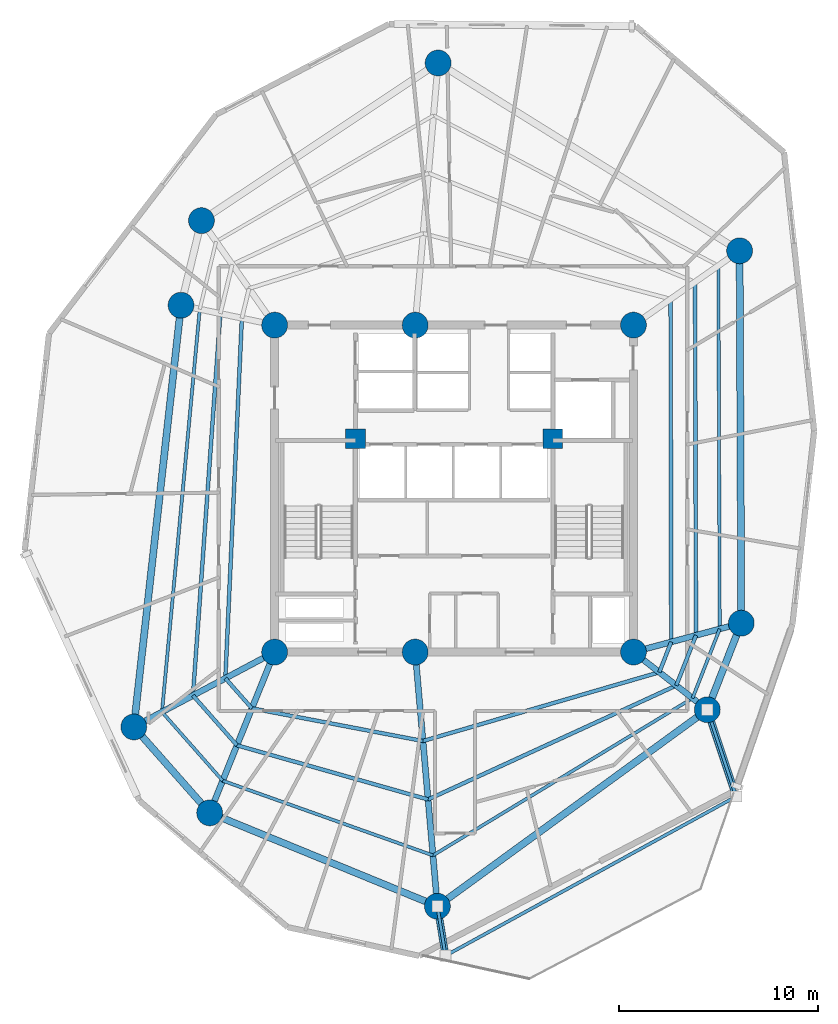
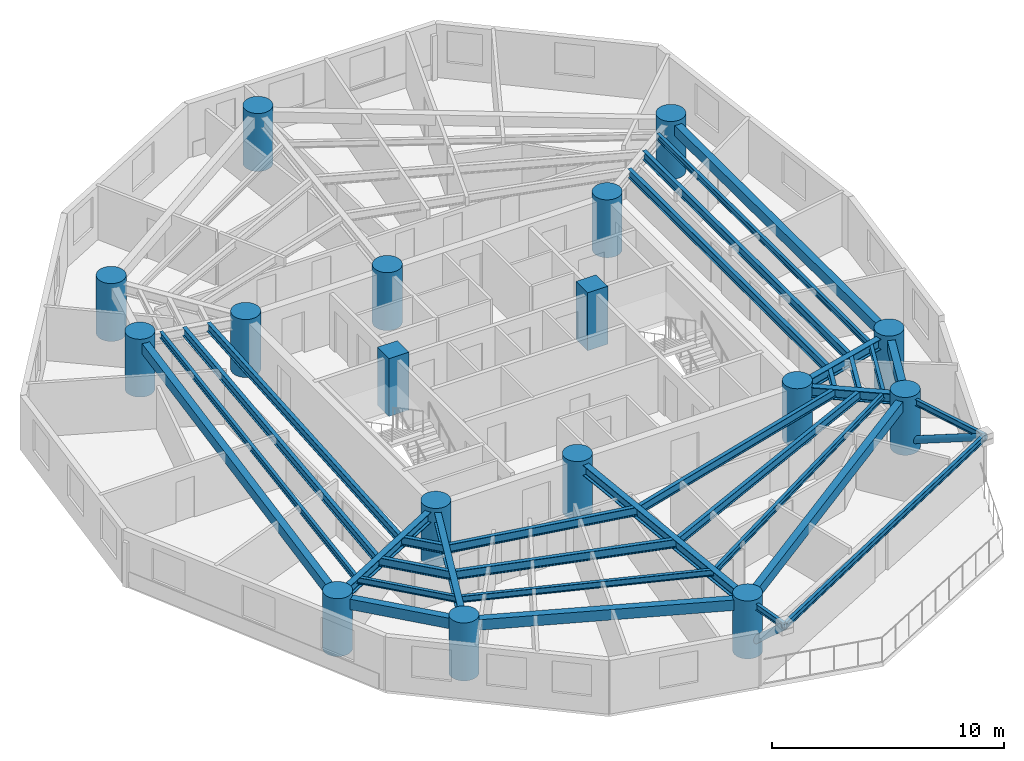
# One storey, part 1 of 10: 32 beams, 17 columns, 2 members.
"""IFC4 building model written with IfcOpenShell, lengths in metres."""

from ifc_helpers import new_model, si_unit, direction, frame, origin, origin_with_axes, origin_2d, place, context, subcontext, project, spatial, rectangle, circle, hollow_circle, i_section, extrude, source, transform, mapped, material, material_profile, profile_set, type_object, element, save


model = new_model("IFC4")

# Units and contexts
model_context = context("Model", 3, precision=1e-05, world=origin(), true_north=direction((0.0, 1.0)))
body_context = subcontext(model_context, "Body", "Model", "MODEL_VIEW")
ifc_project = project(units=[si_unit("LENGTHUNIT", "METRE"), si_unit("AREAUNIT", "SQUARE_METRE"), si_unit("VOLUMEUNIT", "CUBIC_METRE"), si_unit("PLANEANGLEUNIT", "RADIAN"), si_unit("MASSUNIT", "GRAM", prefix="KILO")], contexts=[model_context])

# Site, building, storey
site_placement = place(None, origin())
site = spatial("IfcSite", under=ifc_project, at=site_placement, CompositionType="ELEMENT")
building_placement = place(site_placement, origin())
building = spatial("IfcBuilding", under=site, at=building_placement, Name="Karkom Vertical University and Central Library", CompositionType="ELEMENT")
storey_placement = place(building_placement, frame((0.0, 0.0, 171.800048828125)))
storey = spatial("IfcBuildingStorey", under=building, at=storey_placement, Name="L49", CompositionType="ELEMENT", Elevation=171.800048828125)

# Columns
ifc_material_1 = material(Name="Concrete C50/60", Category="concrete")
ifc_material_profile_1 = material_profile(ifc_material_1, circle(Radius=0.64990234375, at=origin_2d()), Name="CFT-D1300")
ifc_profile_set_1 = profile_set([ifc_material_profile_1], Name="Concrete C50/60")
column_type_1 = type_object("IfcColumnType", Name="STR-COL-C-SC4", PredefinedType="COLUMN", material=ifc_profile_set_1)
shared_shape_1 = source(origin_with_axes(), body_context, "Body", "SweptSolid", [
    extrude(circle(Radius=0.64990234375, at=origin_2d()), origin(), (0.0, 0.0, 1.0), 3.050048828125),
])
for number, where, z_axis, x_axis, name in (
    (1, (19.5, 18.300048828125, 0.0), (0.0, 0.0, 1.0), (1.0, 0.0, 0.0), "Level 49 Spine Mega-Column SC-1"),
    (2, (26.550048828125, 18.300048828125, 0.0), (0.0, 0.0, 1.0), (1.0, 0.0, 0.0), "Level 49 Spine Mega-Column SC-2"),
    (3, (37.5, 18.300048828125, 0.0), (0.0, 0.0, 1.0), (1.0, 0.0, 0.0), "Level 49 Spine Mega-Column SC-3"),
    (4, (19.5, 34.699951171875, 0.0), (0.0, 0.0, 1.0), (1.0, 0.0, 0.0), "Level 49 Spine Mega-Column SC-4"),
    (5, (26.550048828125, 34.699951171875, 0.0), (0.0, 0.0, 1.0), (1.0, 0.0, 0.0), "Level 49 Spine Mega-Column SC-5"),
    (6, (37.5, 34.699951171875, 0.0), (0.0, 0.0, 1.0), (1.0, 0.0, 0.0), "Level 49 Spine Mega-Column SC-6"),
    (7, (42.908935546875, 19.7490234375, 0.0), (0.0, 0.0, 1.0), (1.0, 0.0, 0.0), "Level 49 Perimeter Mega-Column Z3-PC1"),
    (8, (42.823974609375, 38.427978515625, 0.0), (0.0, 0.0, 1.0), (1.0, 0.0, 0.0), "Level 49 Perimeter Mega-Column Z3-PC2"),
    (9, (27.699951171875, 47.85009765625, 0.0), (0.0, 0.0, 1.0), (1.0, 0.0, 0.0), "Level 49 Perimeter Mega-Column Z3-PC3"),
    (10, (15.8291015625, 39.943115234375, 0.0), (0.0, 0.0, 1.0), (1.0, 0.0, 0.0), "Level 49 Perimeter Mega-Column Z3-PC4"),
    (11, (14.804931640625, 35.697998046875, 0.0), (0.0, 0.0, 1.0), (1.0, 0.0, 0.0), "Level 49 Perimeter Mega-Column Z3-PC5"),
    (12, (12.43603515625, 14.5439453125, 0.0), (0.0, 0.0, 1.0), (1.0, 0.0, 0.0), "Level 49 Perimeter Mega-Column Z3-PC6"),
    (13, (16.240966796875, 10.23388671875, 0.0), (0.0, 0.0, 1.0), (1.0, 0.0, 0.0), "Level 49 Perimeter Mega-Column Z3-PC7"),
    (14, (27.666015625, 5.549072265625, 0.0), (0.0, 0.0, 1.0), (1.0, 0.0, 0.0), "Level 49 Perimeter Mega-Column Z3-PC8"),
    (15, (41.2041015625, 15.406005859375, 0.0), (0.0, 0.0, 1.0), (1.0, 0.0, 0.0), "Level 49 Perimeter Mega-Column Z3-PC9"),
):
    element("IfcColumn", number, at=place(storey_placement, frame(where, z_axis=z_axis, x_axis=x_axis)), inside=storey, type_object=column_type_1, Name=name, PredefinedType="COLUMN", context=body_context, shape_type="MappedRepresentation", body=[
        mapped(shared_shape_1, transform((0.0, 0.0, 0.0), scale=1.0)),
    ])
ifc_material_profile_2 = material_profile(ifc_material_1, rectangle(XDim=1.0, YDim=1.0, at=origin_2d()), Name="RC-1000x1000")
ifc_profile_set_2 = profile_set([ifc_material_profile_2], Name="Concrete C50/60")
column_type_2 = type_object("IfcColumnType", Name="STR-COL-C-CC2", PredefinedType="COLUMN", material=ifc_profile_set_2)
shared_shape_2 = source(origin_with_axes(), body_context, "Body", "SweptSolid", [
    extrude(rectangle(XDim=1.0, YDim=1.0, at=origin_2d()), origin(), (0.0, 0.0, 1.0), 3.050048828125),
])
for number, where, z_axis, x_axis, name in (
    (16, (23.550048828125, 29.0, 0.0), (0.0, 0.0, 1.0), (1.0, 0.0, 0.0), "Level 49 Core Node Column CC-1"),
    (17, (33.449951171875, 29.0, 0.0), (0.0, 0.0, 1.0), (1.0, 0.0, 0.0), "Level 49 Core Node Column CC-2"),
):
    element("IfcColumn", number, at=place(storey_placement, frame(where, z_axis=z_axis, x_axis=x_axis)), inside=storey, type_object=column_type_2, Name=name, PredefinedType="COLUMN", context=body_context, shape_type="MappedRepresentation", body=[
        mapped(shared_shape_2, transform((0.0, 0.0, 0.0), scale=1.0)),
    ])

# Beams
ifc_material_2 = material(Name="Precast concrete C45/55", Category="concrete")
ifc_material_profile_3 = material_profile(ifc_material_2, rectangle(XDim=0.35009765625, YDim=0.550048828125, at=origin_2d()), Name="SPB-350x550")
ifc_profile_set_3 = profile_set([ifc_material_profile_3], Name="Precast concrete C45/55")
beam_type_1 = type_object("IfcBeamType", Name="STR-BM-SP-2", PredefinedType="SPANDREL", material=ifc_profile_set_3)
shared_shape_3 = source(origin_with_axes(), body_context, "Body", "SweptSolid", [
    extrude(rectangle(XDim=0.35009765625, YDim=0.550048828125, at=origin_2d()), origin(), (0.0, 0.0, 1.0), 18.67919921875),
])
beam_1_placement = place(storey_placement, frame((42.908935546875, 19.7490234375, 2.550048828125), z_axis=(-0.004548437442, 0.999989655805, 0.0), x_axis=(-0.999989655805, -0.004548437442, 0.0)))
element("IfcBeam", 18, at=beam_1_placement, inside=storey, type_object=beam_type_1, Name="Level 49 Perimeter Spandrel Beam 01", PredefinedType="SPANDREL", context=body_context, shape_type="MappedRepresentation", body=[
    mapped(shared_shape_3, transform((0.0, 0.0, 0.0), scale=1.0)),
])
shared_shape_4 = source(origin_with_axes(), body_context, "Body", "SweptSolid", [
    extrude(rectangle(XDim=0.35009765625, YDim=0.550048828125, at=origin_2d()), origin(), (0.0, 0.0, 1.0), 21.286376953125),
])
beam_2_placement = place(storey_placement, frame((14.804931640625, 35.697998046875, 2.550048828125), z_axis=(-0.111287493264, -0.993788254028, 0.0), x_axis=(0.993788254028, -0.111287493264, 0.0)))
element("IfcBeam", 19, at=beam_2_placement, inside=storey, type_object=beam_type_1, Name="Level 49 Perimeter Spandrel Beam 05", PredefinedType="SPANDREL", context=body_context, shape_type="MappedRepresentation", body=[
    mapped(shared_shape_4, transform((0.0, 0.0, 0.0), scale=1.0)),
])
shared_shape_5 = source(origin_with_axes(), body_context, "Body", "SweptSolid", [
    extrude(rectangle(XDim=0.35009765625, YDim=0.550048828125, at=origin_2d()), origin(), (0.0, 0.0, 1.0), 5.749267578125),
])
beam_3_placement = place(storey_placement, frame((12.43603515625, 14.5439453125, 2.550048828125), z_axis=(0.661811219671, -0.74967053398, 0.0), x_axis=(0.74967053398, 0.661811219671, 0.0)))
element("IfcBeam", 20, at=beam_3_placement, inside=storey, type_object=beam_type_1, Name="Level 49 Perimeter Spandrel Beam 06", PredefinedType="SPANDREL", context=body_context, shape_type="MappedRepresentation", body=[
    mapped(shared_shape_5, transform((0.0, 0.0, 0.0), scale=1.0)),
])
shared_shape_6 = source(origin_with_axes(), body_context, "Body", "SweptSolid", [
    extrude(rectangle(XDim=0.35009765625, YDim=0.550048828125, at=origin_2d()), origin(), (0.0, 0.0, 1.0), 12.34814453125),
])
beam_4_placement = place(storey_placement, frame((16.240966796875, 10.23388671875, 2.550048828125), z_axis=(0.925236428984, -0.37939102583, 0.0), x_axis=(0.37939102583, 0.925236428984, 0.0)))
element("IfcBeam", 21, at=beam_4_placement, inside=storey, type_object=beam_type_1, Name="Level 49 Perimeter Spandrel Beam 07", PredefinedType="SPANDREL", context=body_context, shape_type="MappedRepresentation", body=[
    mapped(shared_shape_6, transform((0.0, 0.0, 0.0), scale=1.0)),
])
shared_shape_7 = source(origin_with_axes(), body_context, "Body", "SweptSolid", [
    extrude(rectangle(XDim=0.35009765625, YDim=0.550048828125, at=origin_2d()), origin(), (0.0, 0.0, 1.0), 16.746337890625),
])
beam_5_placement = place(storey_placement, frame((27.666015625, 5.549072265625, 2.550048828125), z_axis=(0.808422013284, 0.588603303115, 0.0), x_axis=(-0.588603303115, 0.808422013284, 0.0)))
element("IfcBeam", 22, at=beam_5_placement, inside=storey, type_object=beam_type_1, Name="Level 49 Perimeter Spandrel Beam 08", PredefinedType="SPANDREL", context=body_context, shape_type="MappedRepresentation", body=[
    mapped(shared_shape_7, transform((0.0, 0.0, 0.0), scale=1.0)),
])
shared_shape_8 = source(origin_with_axes(), body_context, "Body", "SweptSolid", [
    extrude(rectangle(XDim=0.35009765625, YDim=0.550048828125, at=origin_2d()), origin(), (0.0, 0.0, 1.0), 4.66552734375),
])
beam_6_placement = place(storey_placement, frame((41.2041015625, 15.406005859375, 2.550048828125), z_axis=(0.365401419454, 0.930850043058, 0.0), x_axis=(-0.930850043058, 0.365401419454, 0.0)))
element("IfcBeam", 23, at=beam_6_placement, inside=storey, type_object=beam_type_1, Name="Level 49 Perimeter Spandrel Beam 09", PredefinedType="SPANDREL", context=body_context, shape_type="MappedRepresentation", body=[
    mapped(shared_shape_8, transform((0.0, 0.0, 0.0), scale=1.0)),
])
ifc_material_3 = material(Name="Steel S355", Category="steel")
ifc_material_profile_4 = material_profile(ifc_material_3, i_section(OverallWidth=0.18994140625, OverallDepth=0.449951171875, WebThickness=0.009521484375, FlangeThickness=0.0146484375, FilletRadius=0.02099609375, at=origin_2d()), Name="IPE 450")
ifc_profile_set_4 = profile_set([ifc_material_profile_4], Name="Steel S355")
beam_type_2 = type_object("IfcBeamType", Name="STR-BM-SB-IPE450", PredefinedType="BEAM", material=ifc_profile_set_4)
shared_shape_9 = source(origin_with_axes(), body_context, "Body", "SweptSolid", [
    extrude(i_section(OverallWidth=0.18994140625, OverallDepth=0.449951171875, WebThickness=0.009521484375, FlangeThickness=0.0146484375, FilletRadius=0.02099609375, at=origin_2d()), origin(), (0.0, 0.0, 1.0), 17.19775390625),
])
beam_7_placement = place(storey_placement, frame((39.39306640625, 18.80712890625, 2.599853515625), z_axis=(-0.001731918699, 0.999998500228, 0.0), x_axis=(-0.999998500228, -0.001731918699, 0.0)))
element("IfcBeam", 24, at=beam_7_placement, inside=storey, type_object=beam_type_2, Name="Level 49 Secondary Composite Floor Beam 1.01", PredefinedType="BEAM", context=body_context, shape_type="MappedRepresentation", body=[
    mapped(shared_shape_9, transform((0.0, 0.0, 0.0), scale=1.0)),
])
shared_shape_10 = source(origin_with_axes(), body_context, "Body", "SweptSolid", [
    extrude(i_section(OverallWidth=0.18994140625, OverallDepth=0.449951171875, WebThickness=0.009521484375, FlangeThickness=0.0146484375, FilletRadius=0.02099609375, at=origin_2d()), origin(), (0.0, 0.0, 1.0), 18.0830078125),
])
beam_8_placement = place(storey_placement, frame((17.856689453125, 35.04931640625, 2.599853515625), z_axis=(-0.04584982532, -0.998948343769, 0.0), x_axis=(0.998948343769, -0.04584982532, 0.0)))
element("IfcBeam", 25, at=beam_8_placement, inside=storey, type_object=beam_type_2, Name="Level 49 Secondary Composite Floor Beam 1.05", PredefinedType="BEAM", context=body_context, shape_type="MappedRepresentation", body=[
    mapped(shared_shape_10, transform((0.0, 0.0, 0.0), scale=1.0)),
])
shared_shape_11 = source(origin_with_axes(), body_context, "Body", "SweptSolid", [
    extrude(i_section(OverallWidth=0.18994140625, OverallDepth=0.449951171875, WebThickness=0.009521484375, FlangeThickness=0.0146484375, FilletRadius=0.02099609375, at=origin_2d()), origin(), (0.0, 0.0, 1.0), 2.01220703125),
])
beam_9_placement = place(storey_placement, frame((17.027587890625, 16.9853515625, 2.599853515625), z_axis=(0.661822246424, -0.749660799387, 0.0), x_axis=(0.749660799387, 0.661822246424, 0.0)))
element("IfcBeam", 26, at=beam_9_placement, inside=storey, type_object=beam_type_2, Name="Level 49 Secondary Composite Floor Beam 1.06", PredefinedType="BEAM", context=body_context, shape_type="MappedRepresentation", body=[
    mapped(shared_shape_11, transform((0.0, 0.0, 0.0), scale=1.0)),
])
shared_shape_12 = source(origin_with_axes(), body_context, "Body", "SweptSolid", [
    extrude(i_section(OverallWidth=0.18994140625, OverallDepth=0.449951171875, WebThickness=0.009521484375, FlangeThickness=0.0146484375, FilletRadius=0.02099609375, at=origin_2d()), origin(), (0.0, 0.0, 1.0), 8.736572265625),
])
beam_10_placement = place(storey_placement, frame((18.359375, 15.476806640625, 2.599853515625), z_axis=(0.982230782932, -0.187677087205, 0.0), x_axis=(0.187677087205, 0.982230782932, 0.0)))
element("IfcBeam", 27, at=beam_10_placement, inside=storey, type_object=beam_type_2, Name="Level 49 Secondary Composite Floor Beam 1.07", PredefinedType="BEAM", context=body_context, shape_type="MappedRepresentation", body=[
    mapped(shared_shape_12, transform((0.0, 0.0, 0.0), scale=1.0)),
])
shared_shape_13 = source(origin_with_axes(), body_context, "Body", "SweptSolid", [
    extrude(i_section(OverallWidth=0.18994140625, OverallDepth=0.449951171875, WebThickness=0.009521484375, FlangeThickness=0.0146484375, FilletRadius=0.02099609375, at=origin_2d()), origin(), (0.0, 0.0, 1.0), 12.347412109375),
])
beam_11_placement = place(storey_placement, frame((26.940673828125, 13.837158203125, 2.599853515625), z_axis=(0.960173212987, 0.279405442077, 0.0), x_axis=(-0.279405442077, 0.960173212987, 0.0)))
element("IfcBeam", 28, at=beam_11_placement, inside=storey, type_object=beam_type_2, Name="Level 49 Secondary Composite Floor Beam 1.08", PredefinedType="BEAM", context=body_context, shape_type="MappedRepresentation", body=[
    mapped(shared_shape_13, transform((0.0, 0.0, 0.0), scale=1.0)),
])
shared_shape_14 = source(origin_with_axes(), body_context, "Body", "SweptSolid", [
    extrude(i_section(OverallWidth=0.18994140625, OverallDepth=0.449951171875, WebThickness=0.009521484375, FlangeThickness=0.0146484375, FilletRadius=0.02099609375, at=origin_2d()), origin(), (0.0, 0.0, 1.0), 1.633056640625),
])
beam_12_placement = place(storey_placement, frame((38.79638671875, 17.287109375, 2.599853515625), z_axis=(0.365402570083, 0.930849591382, 0.0), x_axis=(-0.930849591382, 0.365402570083, 0.0)))
element("IfcBeam", 29, at=beam_12_placement, inside=storey, type_object=beam_type_2, Name="Level 49 Secondary Composite Floor Beam 1.09", PredefinedType="BEAM", context=body_context, shape_type="MappedRepresentation", body=[
    mapped(shared_shape_14, transform((0.0, 0.0, 0.0), scale=1.0)),
])
shared_shape_15 = source(origin_with_axes(), body_context, "Body", "SweptSolid", [
    extrude(i_section(OverallWidth=0.18994140625, OverallDepth=0.449951171875, WebThickness=0.009521484375, FlangeThickness=0.0146484375, FilletRadius=0.02099609375, at=origin_2d()), origin(), (0.0, 0.0, 1.0), 17.721923828125),
])
beam_13_placement = place(storey_placement, frame((40.63720703125, 19.140380859375, 2.599853515625), z_axis=(-0.002782780006, 0.99999612806, 0.0), x_axis=(-0.99999612806, -0.002782780006, 0.0)))
element("IfcBeam", 30, at=beam_13_placement, inside=storey, type_object=beam_type_2, Name="Level 49 Secondary Composite Floor Beam 2.01", PredefinedType="BEAM", context=body_context, shape_type="MappedRepresentation", body=[
    mapped(shared_shape_15, transform((0.0, 0.0, 0.0), scale=1.0)),
])
shared_shape_16 = source(origin_with_axes(), body_context, "Body", "SweptSolid", [
    extrude(i_section(OverallWidth=0.18994140625, OverallDepth=0.449951171875, WebThickness=0.009521484375, FlangeThickness=0.0146484375, FilletRadius=0.02099609375, at=origin_2d()), origin(), (0.0, 0.0, 1.0), 19.20654296875),
])
beam_14_placement = place(storey_placement, frame((16.77685546875, 35.27880859375, 2.599853515625), z_axis=(-0.071539731632, -0.997437750839, 0.0), x_axis=(0.997437750839, -0.071539731632, 0.0)))
element("IfcBeam", 31, at=beam_14_placement, inside=storey, type_object=beam_type_2, Name="Level 49 Secondary Composite Floor Beam 2.05", PredefinedType="BEAM", context=body_context, shape_type="MappedRepresentation", body=[
    mapped(shared_shape_16, transform((0.0, 0.0, 0.0), scale=1.0)),
])
shared_shape_17 = source(origin_with_axes(), body_context, "Body", "SweptSolid", [
    extrude(i_section(OverallWidth=0.18994140625, OverallDepth=0.449951171875, WebThickness=0.009521484375, FlangeThickness=0.0146484375, FilletRadius=0.02099609375, at=origin_2d()), origin(), (0.0, 0.0, 1.0), 3.334716796875),
])
beam_15_placement = place(storey_placement, frame((15.40283203125, 16.12158203125, 2.599853515625), z_axis=(0.661815321502, -0.749666912852, 0.0), x_axis=(0.749666912852, 0.661815321502, 0.0)))
element("IfcBeam", 32, at=beam_15_placement, inside=storey, type_object=beam_type_2, Name="Level 49 Secondary Composite Floor Beam 2.06", PredefinedType="BEAM", context=body_context, shape_type="MappedRepresentation", body=[
    mapped(shared_shape_17, transform((0.0, 0.0, 0.0), scale=1.0)),
])
shared_shape_18 = source(origin_with_axes(), body_context, "Body", "SweptSolid", [
    extrude(i_section(OverallWidth=0.18994140625, OverallDepth=0.449951171875, WebThickness=0.009521484375, FlangeThickness=0.0146484375, FilletRadius=0.02099609375, at=origin_2d()), origin(), (0.0, 0.0, 1.0), 9.965087890625),
])
beam_16_placement = place(storey_placement, frame((17.60986328125, 13.62158203125, 2.599853515625), z_axis=(0.962104232935, -0.272681948372, 0.0), x_axis=(0.272681948372, 0.962104232935, 0.0)))
element("IfcBeam", 33, at=beam_16_placement, inside=storey, type_object=beam_type_2, Name="Level 49 Secondary Composite Floor Beam 2.07", PredefinedType="BEAM", context=body_context, shape_type="MappedRepresentation", body=[
    mapped(shared_shape_18, transform((0.0, 0.0, 0.0), scale=1.0)),
])
shared_shape_19 = source(origin_with_axes(), body_context, "Body", "SweptSolid", [
    extrude(i_section(OverallWidth=0.18994140625, OverallDepth=0.449951171875, WebThickness=0.009521484375, FlangeThickness=0.0146484375, FilletRadius=0.02099609375, at=origin_2d()), origin(), (0.0, 0.0, 1.0), 13.700927734375),
])
beam_17_placement = place(storey_placement, frame((27.197265625, 10.904296875, 2.599853515625), z_axis=(0.908771280691, 0.417294571486, 0.0), x_axis=(-0.417294571486, 0.908771280691, 0.0)))
element("IfcBeam", 34, at=beam_17_placement, inside=storey, type_object=beam_type_2, Name="Level 49 Secondary Composite Floor Beam 2.08", PredefinedType="BEAM", context=body_context, shape_type="MappedRepresentation", body=[
    mapped(shared_shape_19, transform((0.0, 0.0, 0.0), scale=1.0)),
])
shared_shape_20 = source(origin_with_axes(), body_context, "Body", "SweptSolid", [
    extrude(i_section(OverallWidth=0.18994140625, OverallDepth=0.449951171875, WebThickness=0.009521484375, FlangeThickness=0.0146484375, FilletRadius=0.02099609375, at=origin_2d()), origin(), (0.0, 0.0, 1.0), 2.7060546875),
])
beam_18_placement = place(storey_placement, frame((39.648193359375, 16.62158203125, 2.599853515625), z_axis=(0.365487674906, 0.930816179217, 0.0), x_axis=(-0.930816179217, 0.365487674906, 0.0)))
element("IfcBeam", 35, at=beam_18_placement, inside=storey, type_object=beam_type_2, Name="Level 49 Secondary Composite Floor Beam 2.09", PredefinedType="BEAM", context=body_context, shape_type="MappedRepresentation", body=[
    mapped(shared_shape_20, transform((0.0, 0.0, 0.0), scale=1.0)),
])
ifc_material_profile_5 = material_profile(ifc_material_3, i_section(OverallWidth=0.159912109375, OverallDepth=0.330078125, WebThickness=0.007568359375, FlangeThickness=0.011474609375, FilletRadius=0.01806640625, at=origin_2d()), Name="IPE 330")
ifc_profile_set_5 = profile_set([ifc_material_profile_5], Name="Steel S355")
beam_type_3 = type_object("IfcBeamType", Name="STR-BM-SB-IPE330", PredefinedType="BEAM", material=ifc_profile_set_5)
shared_shape_21 = source(origin_with_axes(), body_context, "Body", "SweptSolid", [
    extrude(i_section(OverallWidth=0.159912109375, OverallDepth=0.330078125, WebThickness=0.007568359375, FlangeThickness=0.011474609375, FilletRadius=0.01806640625, at=origin_2d()), origin(), (0.0, 0.0, 1.0), 18.223388671875),
])
beam_19_placement = place(storey_placement, frame((41.8271484375, 19.459228515625, 2.659912109375), z_axis=(-0.003724418851, 0.999993064328, 0.0), x_axis=(-0.999993064328, -0.003724418851, 0.0)))
element("IfcBeam", 36, at=beam_19_placement, inside=storey, type_object=beam_type_3, Name="Level 49 Secondary Composite Floor Beam 3.01", PredefinedType="BEAM", context=body_context, shape_type="MappedRepresentation", body=[
    mapped(shared_shape_21, transform((0.0, 0.0, 0.0), scale=1.0)),
])
shared_shape_22 = source(origin_with_axes(), body_context, "Body", "SweptSolid", [
    extrude(i_section(OverallWidth=0.159912109375, OverallDepth=0.330078125, WebThickness=0.007568359375, FlangeThickness=0.011474609375, FilletRadius=0.01806640625, at=origin_2d()), origin(), (0.0, 0.0, 1.0), 20.291748046875),
])
beam_20_placement = place(storey_placement, frame((15.743896484375, 35.498291015625, 2.659912109375), z_axis=(-0.093388415244, -0.995629752417, 0.0), x_axis=(0.995629752417, -0.093388415244, 0.0)))
element("IfcBeam", 37, at=beam_20_placement, inside=storey, type_object=beam_type_3, Name="Level 49 Secondary Composite Floor Beam 3.05", PredefinedType="BEAM", context=body_context, shape_type="MappedRepresentation", body=[
    mapped(shared_shape_22, transform((0.0, 0.0, 0.0), scale=1.0)),
])
shared_shape_23 = source(origin_with_axes(), body_context, "Body", "SweptSolid", [
    extrude(i_section(OverallWidth=0.159912109375, OverallDepth=0.330078125, WebThickness=0.007568359375, FlangeThickness=0.011474609375, FilletRadius=0.01806640625, at=origin_2d()), origin(), (0.0, 0.0, 1.0), 4.599365234375),
])
beam_21_placement = place(storey_placement, frame((13.848876953125, 15.295166015625, 2.659912109375), z_axis=(0.661816486801, -0.74966588411, 0.0), x_axis=(0.74966588411, 0.661816486801, 0.0)))
element("IfcBeam", 38, at=beam_21_placement, inside=storey, type_object=beam_type_3, Name="Level 49 Secondary Composite Floor Beam 3.06", PredefinedType="BEAM", context=body_context, shape_type="MappedRepresentation", body=[
    mapped(shared_shape_23, transform((0.0, 0.0, 0.0), scale=1.0)),
])
shared_shape_24 = source(origin_with_axes(), body_context, "Body", "SweptSolid", [
    extrude(i_section(OverallWidth=0.159912109375, OverallDepth=0.330078125, WebThickness=0.007568359375, FlangeThickness=0.011474609375, FilletRadius=0.01806640625, at=origin_2d()), origin(), (0.0, 0.0, 1.0), 11.196044921875),
])
beam_22_placement = place(storey_placement, frame((16.892822265625, 11.84716796875, 2.659912109375), z_axis=(0.942301538336, -0.334765307119, 0.0), x_axis=(0.334765307119, 0.942301538336, 0.0)))
element("IfcBeam", 39, at=beam_22_placement, inside=storey, type_object=beam_type_3, Name="Level 49 Secondary Composite Floor Beam 3.07", PredefinedType="BEAM", context=body_context, shape_type="MappedRepresentation", body=[
    mapped(shared_shape_24, transform((0.0, 0.0, 0.0), scale=1.0)),
])
shared_shape_25 = source(origin_with_axes(), body_context, "Body", "SweptSolid", [
    extrude(i_section(OverallWidth=0.159912109375, OverallDepth=0.330078125, WebThickness=0.007568359375, FlangeThickness=0.011474609375, FilletRadius=0.01806640625, at=origin_2d()), origin(), (0.0, 0.0, 1.0), 15.22216796875),
])
beam_23_placement = place(storey_placement, frame((27.44287109375, 8.09912109375, 2.659912109375), z_axis=(0.855352900974, 0.518045765155, 0.0), x_axis=(-0.518045765155, 0.855352900974, 0.0)))
element("IfcBeam", 40, at=beam_23_placement, inside=storey, type_object=beam_type_3, Name="Level 49 Secondary Composite Floor Beam 3.08", PredefinedType="BEAM", context=body_context, shape_type="MappedRepresentation", body=[
    mapped(shared_shape_25, transform((0.0, 0.0, 0.0), scale=1.0)),
])
shared_shape_26 = source(origin_with_axes(), body_context, "Body", "SweptSolid", [
    extrude(i_section(OverallWidth=0.159912109375, OverallDepth=0.330078125, WebThickness=0.007568359375, FlangeThickness=0.011474609375, FilletRadius=0.01806640625, at=origin_2d()), origin(), (0.0, 0.0, 1.0), 3.732421875),
])
beam_24_placement = place(storey_placement, frame((40.463134765625, 15.98486328125, 2.659912109375), z_axis=(0.365439874109, 0.930834946922, 0.0), x_axis=(-0.930834946922, 0.365439874109, 0.0)))
element("IfcBeam", 41, at=beam_24_placement, inside=storey, type_object=beam_type_3, Name="Level 49 Secondary Composite Floor Beam 3.09", PredefinedType="BEAM", context=body_context, shape_type="MappedRepresentation", body=[
    mapped(shared_shape_26, transform((0.0, 0.0, 0.0), scale=1.0)),
])
ifc_material_profile_6 = material_profile(ifc_material_3, i_section(OverallWidth=0.300048828125, OverallDepth=0.550048828125, WebThickness=0.014892578125, FlangeThickness=0.029052734375, FilletRadius=0.027099609375, at=origin_2d()), Name="HE 550 B")
ifc_profile_set_6 = profile_set([ifc_material_profile_6], Name="Steel S355")
beam_type_4 = type_object("IfcBeamType", Name="STR-BM-SB-HE550", PredefinedType="USERDEFINED", material=ifc_profile_set_6)
shared_shape_27 = source(origin_with_axes(), body_context, "Body", "SweptSolid", [
    extrude(i_section(OverallWidth=0.300048828125, OverallDepth=0.550048828125, WebThickness=0.014892578125, FlangeThickness=0.029052734375, FilletRadius=0.027099609375, at=origin_2d()), origin(), (0.0, 0.0, 1.0), 5.599609375),
])
beam_25_placement = place(storey_placement, frame((37.5, 18.300048828125, 2.550048828125), z_axis=(0.965941240814, 0.258761510459, 0.0), x_axis=(-0.258761510459, 0.965941240814, 0.0)))
element("IfcBeam", 42, at=beam_25_placement, inside=storey, type_object=beam_type_4, Name="Level 49 Radial Frame Girder 01", ObjectType="GIRDER", PredefinedType="USERDEFINED", context=body_context, shape_type="MappedRepresentation", body=[
    mapped(shared_shape_27, transform((0.0, 0.0, 0.0), scale=1.0)),
])
shared_shape_28 = source(origin_with_axes(), body_context, "Body", "SweptSolid", [
    extrude(i_section(OverallWidth=0.300048828125, OverallDepth=0.550048828125, WebThickness=0.014892578125, FlangeThickness=0.029052734375, FilletRadius=0.027099609375, at=origin_2d()), origin(), (0.0, 0.0, 1.0), 8.00048828125),
])
beam_26_placement = place(storey_placement, frame((19.5, 18.300048828125, 2.550048828125), z_axis=(-0.882941023922, -0.46948391695, 0.0), x_axis=(0.46948391695, -0.882941023922, 0.0)))
element("IfcBeam", 43, at=beam_26_placement, inside=storey, type_object=beam_type_4, Name="Level 49 Radial Frame Girder 06", ObjectType="GIRDER", PredefinedType="USERDEFINED", context=body_context, shape_type="MappedRepresentation", body=[
    mapped(shared_shape_28, transform((0.0, 0.0, 0.0), scale=1.0)),
])
shared_shape_29 = source(origin_with_axes(), body_context, "Body", "SweptSolid", [
    extrude(i_section(OverallWidth=0.300048828125, OverallDepth=0.550048828125, WebThickness=0.014892578125, FlangeThickness=0.029052734375, FilletRadius=0.027099609375, at=origin_2d()), origin(), (0.0, 0.0, 1.0), 8.69970703125),
])
beam_27_placement = place(storey_placement, frame((19.5, 18.300048828125, 2.550048828125), z_axis=(-0.374615701214, -0.927180174725, 0.0), x_axis=(0.927180174725, -0.374615701214, 0.0)))
element("IfcBeam", 44, at=beam_27_placement, inside=storey, type_object=beam_type_4, Name="Level 49 Radial Frame Girder 07", ObjectType="GIRDER", PredefinedType="USERDEFINED", context=body_context, shape_type="MappedRepresentation", body=[
    mapped(shared_shape_29, transform((0.0, 0.0, 0.0), scale=1.0)),
])
shared_shape_30 = source(origin_with_axes(), body_context, "Body", "SweptSolid", [
    extrude(i_section(OverallWidth=0.300048828125, OverallDepth=0.550048828125, WebThickness=0.014892578125, FlangeThickness=0.029052734375, FilletRadius=0.027099609375, at=origin_2d()), origin(), (0.0, 0.0, 1.0), 12.7998046875),
])
beam_28_placement = place(storey_placement, frame((26.550048828125, 18.300048828125, 2.550048828125), z_axis=(0.087186825694, -0.996191978198, 0.0), x_axis=(0.996191978198, 0.087186825694, 0.0)))
element("IfcBeam", 45, at=beam_28_placement, inside=storey, type_object=beam_type_4, Name="Level 49 Radial Frame Girder 08", ObjectType="GIRDER", PredefinedType="USERDEFINED", context=body_context, shape_type="MappedRepresentation", body=[
    mapped(shared_shape_30, transform((0.0, 0.0, 0.0), scale=1.0)),
])
shared_shape_31 = source(origin_with_axes(), body_context, "Body", "SweptSolid", [
    extrude(i_section(OverallWidth=0.300048828125, OverallDepth=0.550048828125, WebThickness=0.014892578125, FlangeThickness=0.029052734375, FilletRadius=0.027099609375, at=origin_2d()), origin(), (0.0, 0.0, 1.0), 4.70068359375),
])
beam_29_placement = place(storey_placement, frame((37.5, 18.300048828125, 2.550048828125), z_axis=(0.788002325582, -0.615672262553, 0.0), x_axis=(0.615672262553, 0.788002325582, 0.0)))
element("IfcBeam", 46, at=beam_29_placement, inside=storey, type_object=beam_type_4, Name="Level 49 Radial Frame Girder 09", ObjectType="GIRDER", PredefinedType="USERDEFINED", context=body_context, shape_type="MappedRepresentation", body=[
    mapped(shared_shape_31, transform((0.0, 0.0, 0.0), scale=1.0)),
])
shared_shape_32 = source(origin_with_axes(), body_context, "Body", "SweptSolid", [
    extrude(i_section(OverallWidth=0.159912109375, OverallDepth=0.330078125, WebThickness=0.007568359375, FlangeThickness=0.011474609375, FilletRadius=0.01806640625, at=origin_2d()), origin(), (0.0, 0.0, 1.0), 2.513427734375),
])
beam_30_placement = place(storey_placement, frame((27.666015625, 5.549072265625, 2.659912109375), z_axis=(0.161436967324, -0.986883025278, 0.0), x_axis=(0.986883025278, 0.161436967324, 0.0)))
element("IfcBeam", 47, at=beam_30_placement, inside=storey, type_object=beam_type_3, Name="Level 49 Sky Garden Outrigger Support Beam 1", PredefinedType="BEAM", context=body_context, shape_type="MappedRepresentation", body=[
    mapped(shared_shape_32, transform((0.0, 0.0, 0.0), scale=1.0)),
])

# Member
ifc_material_profile_7 = material_profile(ifc_material_3, hollow_circle(Radius=0.177734375, WallThickness=0.01611328125, at=origin_2d()), Name="CHS 355.6x16")
ifc_profile_set_7 = profile_set([ifc_material_profile_7], Name="Steel S355")
member_type = type_object("IfcMemberType", Name="STR-MEM-BR-3", PredefinedType="BRACE", material=ifc_profile_set_7)
shared_shape_33 = source(origin_with_axes(), body_context, "Body", "SweptSolid", [
    extrude(hollow_circle(Radius=0.177734375, WallThickness=0.01611328125, at=origin_2d()), origin(), (0.0, 0.0, 1.0), 3.413818359375),
])
member_1_placement = place(storey_placement, frame((27.666015625, 5.549072265625, 0.349853515625), z_axis=(0.118860742032, -0.726609590278, 0.676690939292), x_axis=(0.986883025278, 0.161436967324, 0.0)))
element("IfcMember", 48, at=member_1_placement, inside=storey, type_object=member_type, Name="Level 49 Sky Garden Knee Strut Brace 1", PredefinedType="BRACE", context=body_context, shape_type="MappedRepresentation", body=[
    mapped(shared_shape_33, transform((0.0, 0.0, 0.0), scale=1.0)),
])

# Beam
shared_shape_34 = source(origin_with_axes(), body_context, "Body", "SweptSolid", [
    extrude(i_section(OverallWidth=0.159912109375, OverallDepth=0.330078125, WebThickness=0.007568359375, FlangeThickness=0.011474609375, FilletRadius=0.01806640625, at=origin_2d()), origin(), (0.0, 0.0, 1.0), 4.581787109375),
])
beam_31_placement = place(storey_placement, frame((41.2041015625, 15.406005859375, 2.659912109375), z_axis=(0.315987967407, -0.948763197249, 0.0), x_axis=(0.948763197249, 0.315987967407, 0.0)))
element("IfcBeam", 49, at=beam_31_placement, inside=storey, type_object=beam_type_3, Name="Level 49 Sky Garden Outrigger Support Beam 2", PredefinedType="BEAM", context=body_context, shape_type="MappedRepresentation", body=[
    mapped(shared_shape_34, transform((0.0, 0.0, 0.0), scale=1.0)),
])

# Member
shared_shape_35 = source(origin_with_axes(), body_context, "Body", "SweptSolid", [
    extrude(hollow_circle(Radius=0.177734375, WallThickness=0.01611328125, at=origin_2d()), origin(), (0.0, 0.0, 1.0), 5.131103515625),
])
member_2_placement = place(storey_placement, frame((41.2041015625, 15.406005859375, 0.349853515625), z_axis=(0.282153156398, -0.847173178695, 0.450207953766), x_axis=(0.948763197249, 0.315987967407, 0.0)))
element("IfcMember", 50, at=member_2_placement, inside=storey, type_object=member_type, Name="Level 49 Sky Garden Knee Strut Brace 2", PredefinedType="BRACE", context=body_context, shape_type="MappedRepresentation", body=[
    mapped(shared_shape_35, transform((0.0, 0.0, 0.0), scale=1.0)),
])

# Beam
shared_shape_36 = source(origin_with_axes(), body_context, "Body", "SweptSolid", [
    extrude(i_section(OverallWidth=0.159912109375, OverallDepth=0.330078125, WebThickness=0.007568359375, FlangeThickness=0.011474609375, FilletRadius=0.01806640625, at=origin_2d()), origin(), (0.0, 0.0, 1.0), 16.6259765625),
])
beam_32_placement = place(storey_placement, frame((28.07177734375, 3.068603515625, 2.659912109375), z_axis=(0.876940388575, 0.480599162386, 0.0), x_axis=(-0.480599162386, 0.876940388575, 0.0)))
element("IfcBeam", 51, at=beam_32_placement, inside=storey, type_object=beam_type_3, Name="Level 49 Sky Garden Perimeter Edge Beam", PredefinedType="BEAM", context=body_context, shape_type="MappedRepresentation", body=[
    mapped(shared_shape_36, transform((0.0, 0.0, 0.0), scale=1.0)),
])

save(model, "model.ifc")
